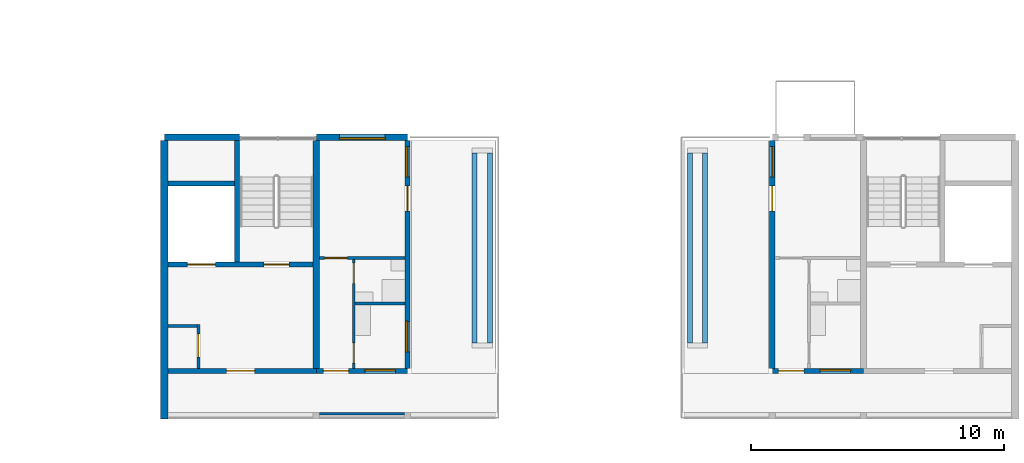
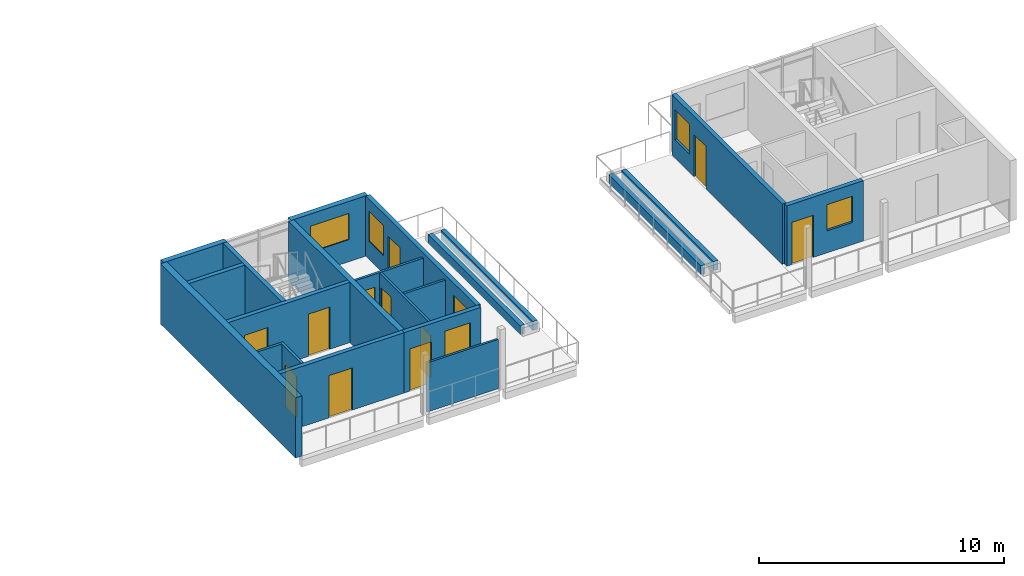
# One storey, part 22 of 41: 22 walls, 11 doors, 6 windows, 17 openings.
"""IFC4 building model written with IfcOpenShell, lengths in metres."""

from ifc_helpers import new_model, si_unit, direction, frame, frame_2d, origin, place, context, subcontext, project, spatial, rectangle, extrude, material, layer, layer_set, type_object, element, fill, save


model = new_model("IFC4")

# Units and contexts
model_context = context("Model", 3, precision=1e-05, world=origin(), true_north=direction((0.0, 1.0)))
body_context = subcontext(model_context, "Body", "Model", "MODEL_VIEW")
ifc_project = project(units=[si_unit("LENGTHUNIT", "METRE"), si_unit("AREAUNIT", "SQUARE_METRE"), si_unit("VOLUMEUNIT", "CUBIC_METRE"), si_unit("PLANEANGLEUNIT", "RADIAN"), si_unit("MASSUNIT", "GRAM", prefix="KILO")], contexts=[model_context])

# Site, building, storey
site_placement = place(None, origin())
site = spatial("IfcSite", under=ifc_project, at=site_placement, CompositionType="ELEMENT")
building_placement = place(site_placement, origin())
building = spatial("IfcBuilding", under=site, at=building_placement, Name="Ridgestep Commons", CompositionType="ELEMENT")
storey_placement = place(building_placement, frame((0.0, 0.0, 39.0)))
storey = spatial("IfcBuildingStorey", under=building, at=storey_placement, Name="L13", CompositionType="ELEMENT", Elevation=39.0)

# Wall
ifc_material_1 = material(Name="Concrete C30/37", Category="concrete")
ifc_layer_1 = layer(ifc_material_1, 0.25)
ifc_layer_set_1 = layer_set([ifc_layer_1], Name="Core cross wall 250")
wall_type_1 = type_object("IfcWallType", Name="Core cross wall 250", PredefinedType="SHEAR", material=ifc_layer_set_1)
wall_1_placement = place(storey_placement, frame((169.60009765625, 13.75, 0.0), z_axis=(0.0, 0.0, 1.0), x_axis=(0.0, 1.0, 0.0)))
element("IfcWall", 1, at=wall_1_placement, inside=storey, type_object=wall_type_1, Name="Cross wall D-13-1696", PredefinedType="SHEAR", context=body_context, shape_type="SweptSolid", body=[
    extrude(rectangle(XDim=9.0, YDim=0.25, at=frame_2d((4.5, 0.0))), origin(), (0.0, 0.0, 1.0), 3.0),
])

# Wall, opening, door
ifc_material_2 = material(Name="Concrete C30/37", Category="concrete")
ifc_layer_2 = layer(ifc_material_2, 0.199951171875)
ifc_layer_set_2 = layer_set([ifc_layer_2], Name="Core south wall 200")
wall_type_2 = type_object("IfcWallType", Name="Core south wall 200", PredefinedType="SHEAR", material=ifc_layer_set_2)
wall_2_placement = place(storey_placement, frame((163.75, 13.64990234375, 0.0), z_axis=(0.0, 0.0, 1.0), x_axis=(1.0, 0.0, 0.0)))
wall_2 = element("IfcWall", 2, at=wall_2_placement, inside=storey, type_object=wall_type_2, Name="Core south wall D2C L13", PredefinedType="SHEAR", context=body_context, shape_type="SweptSolid", body=[
    extrude(rectangle(XDim=5.85009765625, YDim=0.199951171875, at=frame_2d((2.925048828125, 0.0))), origin(), (0.0, 0.0, 1.0), 3.0),
])
opening_1_placement = place(wall_2_placement, frame((2.3125, 0.0, 0.0)))
opening_1 = element("IfcOpeningElement", 3, at=opening_1_placement, cuts=wall_2, Name="Opening D2C/13/1", PredefinedType="OPENING", context=body_context, shape_type="SweptSolid", body=[
    extrude(rectangle(XDim=1.10009765625, YDim=2.10009765625, at=frame_2d((0.550048828125, 1.050048828125))), frame((0.0, 0.10986328125, 0.0), z_axis=(0.0, -1.0, 0.0), x_axis=(1.0, 0.0, 0.0)), (0.0, 0.0, 1.0), 0.219970703125),
])
ifc_material_3 = material(Name="Steel fire door", Category="steel")
door_type_1 = type_object("IfcDoorType", Name="Lobby door 1100 x 2100 FD60", OperationType="NOTDEFINED", PredefinedType="DOOR", material=ifc_material_3)
door_1_placement = place(opening_1_placement, origin())
door_1 = element("IfcDoor", 4, at=door_1_placement, inside=storey, type_object=door_type_1, Name="Lobby door D2C/13/1", OperationType="SINGLE_SWING_LEFT", OverallHeight=2.10009765625, OverallWidth=1.10009765625, PredefinedType="DOOR", context=body_context, shape_type="SweptSolid", body=[
    extrude(rectangle(XDim=1.10009765625, YDim=2.10009765625, at=frame_2d((0.550048828125, 1.050048828125))), frame((0.0, 0.02490234375, 0.0), z_axis=(0.0, -1.0, 0.0), x_axis=(1.0, 0.0, 0.0)), (0.0, 0.0, 1.0), 0.050048828125),
])
fill(opening_1, door_1)

ifc_material_4 = material(Name="Concrete C30/37", Category="concrete")
ifc_layer_3 = layer(ifc_material_4, 0.1201171875)
ifc_layer_set_3 = layer_set([ifc_layer_3], Name="Core wall 120")
wall_type_3 = type_object("IfcWallType", Name="Core wall 120", PredefinedType="SHEAR", material=ifc_layer_set_3)
wall_3_placement = place(storey_placement, frame((164.93994140625, 13.75, 0.0), z_axis=(0.0, 0.0, 1.0), x_axis=(0.0, 1.0, 0.0)))
wall_3 = element("IfcWall", 5, at=wall_3_placement, inside=storey, type_object=wall_type_3, Name="Core riser w wall D2C L13", PredefinedType="SHEAR", context=body_context, shape_type="SweptSolid", body=[
    extrude(rectangle(XDim=1.719970703125, YDim=0.1201171875, at=frame_2d((0.85986328125, 0.0))), origin(), (0.0, 0.0, 1.0), 3.0),
])
opening_2_placement = place(wall_3_placement, frame((0.449951171875, 0.0, 0.0)))
opening_2 = element("IfcOpeningElement", 6, at=opening_2_placement, cuts=wall_3, Name="Opening D2C/13/4", PredefinedType="OPENING", context=body_context, shape_type="SweptSolid", body=[
    extrude(rectangle(XDim=0.89990234375, YDim=2.10009765625, at=frame_2d((0.449951171875, 1.050048828125))), frame((0.0, 0.070068359375, 0.0), z_axis=(0.0, -1.0, 0.0), x_axis=(1.0, 0.0, 0.0)), (0.0, 0.0, 1.0), 0.14013671875),
])
ifc_material_5 = material(Name="Steel fire door", Category="steel")
door_type_2 = type_object("IfcDoorType", Name="Riser door 900 x 2100 FD60", OperationType="NOTDEFINED", PredefinedType="DOOR", material=ifc_material_5)
door_2_placement = place(opening_2_placement, origin())
door_2 = element("IfcDoor", 7, at=door_2_placement, inside=storey, type_object=door_type_2, Name="Riser door D2C/13/4", OperationType="SINGLE_SWING_RIGHT", OverallHeight=2.10009765625, OverallWidth=0.89990234375, PredefinedType="DOOR", context=body_context, shape_type="SweptSolid", body=[
    extrude(rectangle(XDim=0.89990234375, YDim=2.10009765625, at=frame_2d((0.449951171875, 1.050048828125))), frame((0.0, 0.02490234375, 0.0), z_axis=(0.0, -1.0, 0.0), x_axis=(1.0, 0.0, 0.0)), (0.0, 0.0, 1.0), 0.050048828125),
])
fill(opening_2, door_2)

# Wall
wall_4_placement = place(storey_placement, frame((163.75, 15.409912109375, 0.0), z_axis=(0.0, 0.0, 1.0), x_axis=(1.0, 0.0, 0.0)))
element("IfcWall", 8, at=wall_4_placement, inside=storey, type_object=wall_type_3, Name="Core riser n wall D2C L13", PredefinedType="SHEAR", context=body_context, shape_type="SweptSolid", body=[
    extrude(rectangle(XDim=1.1298828125, YDim=0.1201171875, at=frame_2d((0.56494140625, 0.0))), origin(), (0.0, 0.0, 1.0), 3.0),
])

# Wall, openings, doors
ifc_material_6 = material(Name="Concrete C30/37", Category="concrete")
ifc_layer_4 = layer(ifc_material_6, 0.199951171875)
ifc_layer_set_4 = layer_set([ifc_layer_4], Name="Core wall 200")
wall_type_4 = type_object("IfcWallType", Name="Core wall 200", PredefinedType="SHEAR", material=ifc_layer_set_4)
wall_5_placement = place(storey_placement, frame((163.75, 17.85009765625, 0.0), z_axis=(0.0, 0.0, 1.0), x_axis=(1.0, 0.0, 0.0)))
wall_5 = element("IfcWall", 9, at=wall_5_placement, inside=storey, type_object=wall_type_4, Name="Core lobby wall D2C L13", PredefinedType="SHEAR", context=body_context, shape_type="SweptSolid", body=[
    extrude(rectangle(XDim=5.72509765625, YDim=0.199951171875, at=frame_2d((2.862548828125, 0.0))), origin(), (0.0, 0.0, 1.0), 3.0),
])
opening_3_placement = place(wall_5_placement, frame((3.77490234375, 0.0, 0.0)))
opening_3 = element("IfcOpeningElement", 10, at=opening_3_placement, cuts=wall_5, Name="Opening D2C/13/2", PredefinedType="OPENING", context=body_context, shape_type="SweptSolid", body=[
    extrude(rectangle(XDim=1.0, YDim=2.10009765625, at=frame_2d((0.5, 1.050048828125))), frame((0.0, 0.10986328125, 0.0), z_axis=(0.0, -1.0, 0.0), x_axis=(1.0, 0.0, 0.0)), (0.0, 0.0, 1.0), 0.219970703125),
])
opening_4_placement = place(wall_5_placement, frame((0.762451171875, 0.0, 0.0)))
opening_4 = element("IfcOpeningElement", 11, at=opening_4_placement, cuts=wall_5, Name="Opening D2C/13/3", PredefinedType="OPENING", context=body_context, shape_type="SweptSolid", body=[
    extrude(rectangle(XDim=1.10009765625, YDim=2.10009765625, at=frame_2d((0.550048828125, 1.050048828125))), frame((0.0, 0.10986328125, 0.0), z_axis=(0.0, -1.0, 0.0), x_axis=(1.0, 0.0, 0.0)), (0.0, 0.0, 1.0), 0.219970703125),
])
ifc_material_7 = material(Name="Stainless steel", Category="steel")
door_type_3 = type_object("IfcDoorType", Name="Lift landing door 1100 x 2100 FD60", OperationType="DOUBLE_DOOR_SLIDING", PredefinedType="DOOR", material=ifc_material_7)
door_3_placement = place(opening_4_placement, origin())
door_3 = element("IfcDoor", 12, at=door_3_placement, inside=storey, type_object=door_type_3, Name="Landing door LD D2C L13", OperationType="DOUBLE_DOOR_SLIDING", OverallHeight=2.10009765625, OverallWidth=1.10009765625, PredefinedType="DOOR", context=body_context, shape_type="SweptSolid", body=[
    extrude(rectangle(XDim=1.10009765625, YDim=2.10009765625, at=frame_2d((0.550048828125, 1.050048828125))), frame((0.0, 0.02490234375, 0.0), z_axis=(0.0, -1.0, 0.0), x_axis=(1.0, 0.0, 0.0)), (0.0, 0.0, 1.0), 0.050048828125),
])
fill(opening_4, door_3)
ifc_material_8 = material(Name="Steel fire door", Category="steel")
door_type_4 = type_object("IfcDoorType", Name="Stair door 1000 x 2100 FD60", OperationType="NOTDEFINED", PredefinedType="DOOR", material=ifc_material_8)
door_4_placement = place(opening_3_placement, origin())
door_4 = element("IfcDoor", 13, at=door_4_placement, inside=storey, type_object=door_type_4, Name="Stair door D2C/13/2", OperationType="SINGLE_SWING_RIGHT", OverallHeight=2.10009765625, OverallWidth=1.0, PredefinedType="DOOR", context=body_context, shape_type="SweptSolid", body=[
    extrude(rectangle(XDim=1.0, YDim=2.10009765625, at=frame_2d((0.5, 1.050048828125))), frame((0.0, 0.02490234375, 0.0), z_axis=(0.0, -1.0, 0.0), x_axis=(1.0, 0.0, 0.0)), (0.0, 0.0, 1.0), 0.050048828125),
])
fill(opening_3, door_4)

# Walls
wall_6_placement = place(storey_placement, frame((166.47509765625, 17.949951171875, 0.0), z_axis=(0.0, 0.0, 1.0), x_axis=(0.0, 1.0, 0.0)))
element("IfcWall", 14, at=wall_6_placement, inside=storey, type_object=wall_type_4, Name="Core stair wall D2C L13", PredefinedType="SHEAR", context=body_context, shape_type="SweptSolid", body=[
    extrude(rectangle(XDim=4.800048828125, YDim=0.199951171875, at=frame_2d((2.39990234375, 0.0))), origin(), (0.0, 0.0, 1.0), 3.0),
])
wall_7_placement = place(storey_placement, frame((163.75, 21.050048828125, 0.0), z_axis=(0.0, 0.0, 1.0), x_axis=(1.0, 0.0, 0.0)))
element("IfcWall", 15, at=wall_7_placement, inside=storey, type_object=wall_type_4, Name="Core duct wall D2C L13", PredefinedType="SHEAR", context=body_context, shape_type="SweptSolid", body=[
    extrude(rectangle(XDim=2.625, YDim=0.199951171875, at=frame_2d((1.3125, 0.0))), origin(), (0.0, 0.0, 1.0), 3.0),
])

# Wall, openings, windows, door
ifc_material_9 = material(Name="Precast concrete C40/50", Category="concrete")
ifc_layer_5 = layer(ifc_material_9, 0.199951171875)
ifc_layer_set_5 = layer_set([ifc_layer_5], Name="Exposed cross wall 200")
wall_type_5 = type_object("IfcWallType", Name="Exposed cross wall 200", PredefinedType="SHEAR", material=ifc_layer_set_5)
wall_8_placement = place(storey_placement, frame((173.199951171875, 13.75, 0.0), z_axis=(0.0, 0.0, 1.0), x_axis=(0.0, 1.0, 0.0)))
wall_8 = element("IfcWall", 16, at=wall_8_placement, inside=storey, type_object=wall_type_5, Name="Cross wall D-13-1732", PredefinedType="SHEAR", context=body_context, shape_type="SweptSolid", body=[
    extrude(rectangle(XDim=9.0, YDim=0.199951171875, at=frame_2d((4.5, 0.0))), origin(), (0.0, 0.0, 1.0), 3.0),
])
opening_5_placement = place(wall_8_placement, frame((0.64990234375, 0.0, 0.89990234375)))
opening_5 = element("IfcOpeningElement", 17, at=opening_5_placement, cuts=wall_8, Name="Opening W10", PredefinedType="OPENING", context=body_context, shape_type="SweptSolid", body=[
    extrude(rectangle(XDim=1.199951171875, YDim=1.5, at=frame_2d((0.60009765625, 0.75))), frame((0.0, 0.10986328125, 0.0), z_axis=(0.0, -1.0, 0.0), x_axis=(1.0, 0.0, 0.0)), (0.0, 0.0, 1.0), 0.219970703125),
])
opening_6_placement = place(wall_8_placement, frame((7.552490234375, 0.0, 0.89990234375)))
opening_6 = element("IfcOpeningElement", 18, at=opening_6_placement, cuts=wall_8, Name="Opening W10", PredefinedType="OPENING", context=body_context, shape_type="SweptSolid", body=[
    extrude(rectangle(XDim=1.199951171875, YDim=1.5, at=frame_2d((0.60009765625, 0.75))), frame((0.0, 0.10986328125, 0.0), z_axis=(0.0, -1.0, 0.0), x_axis=(1.0, 0.0, 0.0)), (0.0, 0.0, 1.0), 0.219970703125),
])
opening_7_placement = place(wall_8_placement, frame((6.205078125, 0.0, 0.0)))
opening_7 = element("IfcOpeningElement", 19, at=opening_7_placement, cuts=wall_8, Name="Opening D2-13a/5", PredefinedType="OPENING", context=body_context, shape_type="SweptSolid", body=[
    extrude(rectangle(XDim=1.0, YDim=2.10009765625, at=frame_2d((0.5, 1.050048828125))), frame((0.0, 0.10986328125, 0.0), z_axis=(0.0, -1.0, 0.0), x_axis=(1.0, 0.0, 0.0)), (0.0, 0.0, 1.0), 0.219970703125),
])
ifc_material_10 = material(Name="Aluminium 6063-T6 and glass", Category="aluminium")
window_type_1 = type_object("IfcWindowType", Name="Flat window 1200 x 1500", PartitioningType="SINGLE_PANEL", PredefinedType="WINDOW", material=ifc_material_10)
window_1_placement = place(opening_5_placement, origin())
window_1 = element("IfcWindow", 20, at=window_1_placement, inside=storey, type_object=window_type_1, Name="Window D2-13a 3", OverallHeight=1.5, OverallWidth=1.199951171875, PartitioningType="SINGLE_PANEL", PredefinedType="WINDOW", context=body_context, shape_type="SweptSolid", body=[
    extrude(rectangle(XDim=1.199951171875, YDim=1.5, at=frame_2d((0.60009765625, 0.75))), frame((0.0, 0.06005859375, 0.0), z_axis=(0.0, -1.0, 0.0), x_axis=(1.0, 0.0, 0.0)), (0.0, 0.0, 1.0), 0.06005859375),
])
fill(opening_5, window_1)
window_2_placement = place(opening_6_placement, origin())
window_2 = element("IfcWindow", 21, at=window_2_placement, inside=storey, type_object=window_type_1, Name="Window D2-13a 4", OverallHeight=1.5, OverallWidth=1.199951171875, PartitioningType="SINGLE_PANEL", PredefinedType="WINDOW", context=body_context, shape_type="SweptSolid", body=[
    extrude(rectangle(XDim=1.199951171875, YDim=1.5, at=frame_2d((0.60009765625, 0.75))), frame((0.0, 0.06005859375, 0.0), z_axis=(0.0, -1.0, 0.0), x_axis=(1.0, 0.0, 0.0)), (0.0, 0.0, 1.0), 0.06005859375),
])
fill(opening_6, window_2)
ifc_material_11 = material(Name="Aluminium and glass", Category="aluminium")
door_type_5 = type_object("IfcDoorType", Name="Terrace door 1000 x 2100", OperationType="NOTDEFINED", PredefinedType="DOOR", material=ifc_material_11)
door_5_placement = place(opening_7_placement, origin())
door_5 = element("IfcDoor", 22, at=door_5_placement, inside=storey, type_object=door_type_5, Name="Terrace door D2-13a/5", OperationType="SINGLE_SWING_LEFT", OverallHeight=2.10009765625, OverallWidth=1.0, PredefinedType="DOOR", context=body_context, shape_type="SweptSolid", body=[
    extrude(rectangle(XDim=1.0, YDim=2.10009765625, at=frame_2d((0.5, 1.050048828125))), frame((0.0, 0.02490234375, 0.0), z_axis=(0.0, -1.0, 0.0), x_axis=(1.0, 0.0, 0.0)), (0.0, 0.0, 1.0), 0.050048828125),
])
fill(opening_7, door_5)

# Wall, openings, window, door
wall_9_placement = place(storey_placement, frame((187.60009765625, 13.75, 0.0), z_axis=(0.0, 0.0, 1.0), x_axis=(0.0, 1.0, 0.0)))
wall_9 = element("IfcWall", 23, at=wall_9_placement, inside=storey, type_object=wall_type_5, Name="Cross wall D-13-1876", PredefinedType="SHEAR", context=body_context, shape_type="SweptSolid", body=[
    extrude(rectangle(XDim=9.0, YDim=0.199951171875, at=frame_2d((4.5, 0.0))), origin(), (0.0, 0.0, 1.0), 3.0),
])
opening_8_placement = place(wall_9_placement, frame((7.552490234375, 0.0, 0.89990234375)))
opening_8 = element("IfcOpeningElement", 24, at=opening_8_placement, cuts=wall_9, Name="Opening W10", PredefinedType="OPENING", context=body_context, shape_type="SweptSolid", body=[
    extrude(rectangle(XDim=1.199951171875, YDim=1.5, at=frame_2d((0.60009765625, 0.75))), frame((0.0, 0.10986328125, 0.0), z_axis=(0.0, -1.0, 0.0), x_axis=(1.0, 0.0, 0.0)), (0.0, 0.0, 1.0), 0.219970703125),
])
opening_9_placement = place(wall_9_placement, frame((6.205078125, 0.0, 0.0)))
opening_9 = element("IfcOpeningElement", 25, at=opening_9_placement, cuts=wall_9, Name="Opening D3-13a/5", PredefinedType="OPENING", context=body_context, shape_type="SweptSolid", body=[
    extrude(rectangle(XDim=1.0, YDim=2.10009765625, at=frame_2d((0.5, 1.050048828125))), frame((0.0, 0.10986328125, 0.0), z_axis=(0.0, -1.0, 0.0), x_axis=(1.0, 0.0, 0.0)), (0.0, 0.0, 1.0), 0.219970703125),
])
window_3_placement = place(opening_8_placement, origin())
window_3 = element("IfcWindow", 26, at=window_3_placement, inside=storey, type_object=window_type_1, Name="Window D3-13a 3", OverallHeight=1.5, OverallWidth=1.199951171875, PartitioningType="SINGLE_PANEL", PredefinedType="WINDOW", context=body_context, shape_type="SweptSolid", body=[
    extrude(rectangle(XDim=1.199951171875, YDim=1.5, at=frame_2d((0.60009765625, 0.75))), frame((0.0, 0.0, 0.0), z_axis=(0.0, -1.0, 0.0), x_axis=(1.0, 0.0, 0.0)), (0.0, 0.0, 1.0), 0.06005859375),
])
fill(opening_8, window_3)
door_6_placement = place(opening_9_placement, origin())
door_6 = element("IfcDoor", 27, at=door_6_placement, inside=storey, type_object=door_type_5, Name="Terrace door D3-13a/5", OperationType="SINGLE_SWING_RIGHT", OverallHeight=2.10009765625, OverallWidth=1.0, PredefinedType="DOOR", context=body_context, shape_type="SweptSolid", body=[
    extrude(rectangle(XDim=1.0, YDim=2.10009765625, at=frame_2d((0.5, 1.050048828125))), frame((0.0, 0.02490234375, 0.0), z_axis=(0.0, -1.0, 0.0), x_axis=(1.0, 0.0, 0.0)), (0.0, 0.0, 1.0), 0.050048828125),
])
fill(opening_9, door_6)

# Walls
ifc_material_12 = material(Name="Precast concrete C40/50", Category="concrete")
ifc_layer_6 = layer(ifc_material_12, 0.300048828125)
ifc_layer_set_6 = layer_set([ifc_layer_6], Name="Exposed division wall 300")
wall_type_6 = type_object("IfcWallType", Name="Exposed division wall 300", PredefinedType="SHEAR", material=ifc_layer_set_6)
wall_10_placement = place(storey_placement, frame((163.60009765625, 11.75, 0.0), z_axis=(0.0, 0.0, 1.0), x_axis=(0.0, 1.0, 0.0)))
element("IfcWall", 28, at=wall_10_placement, inside=storey, type_object=wall_type_6, Name="Cross wall D-13-1636", PredefinedType="SHEAR", context=body_context, shape_type="SweptSolid", body=[
    extrude(rectangle(XDim=11.0, YDim=0.300048828125, at=frame_2d((5.5, 0.0))), origin(), (0.0, 0.0, 1.0), 3.0),
])
ifc_material_13 = material(Name="Precast concrete C40/50", Category="concrete")
ifc_layer_7 = layer(ifc_material_13, 0.25)
ifc_layer_set_7 = layer_set([ifc_layer_7], Name="North facade panel 250")
wall_type_7 = type_object("IfcWallType", Name="North facade panel 250", PredefinedType="SOLIDWALL", material=ifc_layer_set_7)
wall_11_placement = place(storey_placement, frame((163.60009765625, 22.875, 0.0), z_axis=(0.0, 0.0, 1.0), x_axis=(1.0, 0.0, 0.0)))
element("IfcWall", 29, at=wall_11_placement, inside=storey, type_object=wall_type_7, Name="North panel D2C L13", PredefinedType="SOLIDWALL", context=body_context, shape_type="SweptSolid", body=[
    extrude(rectangle(XDim=2.974853515625, YDim=0.25, at=frame_2d((1.4873046875, 0.0))), origin(), (0.0, 0.0, 1.0), 3.0),
])

# Wall, opening, window
wall_12_placement = place(storey_placement, frame((169.60009765625, 22.875, 0.0), z_axis=(0.0, 0.0, 1.0), x_axis=(1.0, 0.0, 0.0)))
wall_12 = element("IfcWall", 30, at=wall_12_placement, inside=storey, type_object=wall_type_7, Name="North panel D2T3 L13", PredefinedType="SOLIDWALL", context=body_context, shape_type="SweptSolid", body=[
    extrude(rectangle(XDim=3.599853515625, YDim=0.25, at=frame_2d((1.7998046875, 0.0))), origin(), (0.0, 0.0, 1.0), 3.0),
])
opening_10_placement = place(wall_12_placement, frame((0.91259765625, 0.0, 1.10009765625)))
opening_10 = element("IfcOpeningElement", 31, at=opening_10_placement, cuts=wall_12, Name="Opening W18", PredefinedType="OPENING", context=body_context, shape_type="SweptSolid", body=[
    extrude(rectangle(XDim=1.800048828125, YDim=1.300048828125, at=frame_2d((0.89990234375, 0.64990234375))), frame((0.0, 0.135009765625, 0.0), z_axis=(0.0, -1.0, 0.0), x_axis=(1.0, 0.0, 0.0)), (0.0, 0.0, 1.0), 0.27001953125),
])
ifc_material_14 = material(Name="Aluminium 6063-T6 and glass", Category="aluminium")
window_type_2 = type_object("IfcWindowType", Name="Flat window 1800 x 1300", PartitioningType="DOUBLE_PANEL_VERTICAL", PredefinedType="WINDOW", material=ifc_material_14)
window_4_placement = place(opening_10_placement, origin())
window_4 = element("IfcWindow", 32, at=window_4_placement, inside=storey, type_object=window_type_2, Name="Window D2-13a 2", OverallHeight=1.300048828125, OverallWidth=1.800048828125, PartitioningType="SINGLE_PANEL", PredefinedType="WINDOW", context=body_context, shape_type="SweptSolid", body=[
    extrude(rectangle(XDim=1.800048828125, YDim=1.300048828125, at=frame_2d((0.89990234375, 0.64990234375))), frame((0.0, -0.02490234375, 0.0), z_axis=(0.0, -1.0, 0.0), x_axis=(1.0, 0.0, 0.0)), (0.0, 0.0, 1.0), 0.06005859375),
])
fill(opening_10, window_4)

# Wall, openings, doors
ifc_material_15 = material(Name="Common brick 110 mm", Category="masonry")
ifc_layer_8 = layer(ifc_material_15, 0.110107421875)
ifc_layer_set_8 = layer_set([ifc_layer_8], Name="Partition 110")
wall_type_8 = type_object("IfcWallType", Name="Partition 110", PredefinedType="PARTITIONING", material=ifc_layer_set_8)
wall_13_placement = place(storey_placement, frame((171.080078125, 13.75, 0.0), z_axis=(0.0, 0.0, 1.0), x_axis=(0.0, 1.0, 0.0)))
wall_13 = element("IfcWall", 33, at=wall_13_placement, inside=storey, type_object=wall_type_8, Name="Partition D2-13a", PredefinedType="PARTITIONING", context=body_context, shape_type="SweptSolid", body=[
    extrude(rectangle(XDim=4.300048828125, YDim=0.110107421875, at=frame_2d((2.14990234375, 0.0))), origin(), (0.0, 0.0, 1.0), 2.75),
])
opening_11_placement = place(wall_13_placement, frame((0.199951171875, 0.0, 0.0)))
opening_11 = element("IfcOpeningElement", 34, at=opening_11_placement, cuts=wall_13, Name="Opening D2-13a/2", PredefinedType="OPENING", context=body_context, shape_type="SweptSolid", body=[
    extrude(rectangle(XDim=0.800048828125, YDim=2.10009765625, at=frame_2d((0.39990234375, 1.050048828125))), frame((0.0, 0.06494140625, 0.0), z_axis=(0.0, -1.0, 0.0), x_axis=(1.0, 0.0, 0.0)), (0.0, 0.0, 1.0), 0.130126953125),
])
opening_12_placement = place(wall_13_placement, frame((3.35009765625, 0.0, 0.0)))
opening_12 = element("IfcOpeningElement", 35, at=opening_12_placement, cuts=wall_13, Name="Opening D2-13a/3", PredefinedType="OPENING", context=body_context, shape_type="SweptSolid", body=[
    extrude(rectangle(XDim=0.800048828125, YDim=2.10009765625, at=frame_2d((0.39990234375, 1.050048828125))), frame((0.0, 0.06494140625, 0.0), z_axis=(0.0, -1.0, 0.0), x_axis=(1.0, 0.0, 0.0)), (0.0, 0.0, 1.0), 0.130126953125),
])
ifc_material_16 = material(Name="Timber door leaf", Category="wood")
door_type_6 = type_object("IfcDoorType", Name="Internal door 800 x 2100", OperationType="NOTDEFINED", PredefinedType="DOOR", material=ifc_material_16)
door_7_placement = place(opening_11_placement, origin())
door_7 = element("IfcDoor", 36, at=door_7_placement, inside=storey, type_object=door_type_6, Name="Internal door D2-13a/2", OperationType="SINGLE_SWING_RIGHT", OverallHeight=2.10009765625, OverallWidth=0.800048828125, PredefinedType="DOOR", context=body_context, shape_type="SweptSolid", body=[
    extrude(rectangle(XDim=0.800048828125, YDim=2.10009765625, at=frame_2d((0.39990234375, 1.050048828125))), frame((0.0, 0.02490234375, 0.0), z_axis=(0.0, -1.0, 0.0), x_axis=(1.0, 0.0, 0.0)), (0.0, 0.0, 1.0), 0.050048828125),
])
fill(opening_11, door_7)
door_8_placement = place(opening_12_placement, origin())
door_8 = element("IfcDoor", 37, at=door_8_placement, inside=storey, type_object=door_type_6, Name="Internal door D2-13a/3", OperationType="SINGLE_SWING_LEFT", OverallHeight=2.10009765625, OverallWidth=0.800048828125, PredefinedType="DOOR", context=body_context, shape_type="SweptSolid", body=[
    extrude(rectangle(XDim=0.800048828125, YDim=2.10009765625, at=frame_2d((0.39990234375, 1.050048828125))), frame((0.0, 0.02490234375, 0.0), z_axis=(0.0, -1.0, 0.0), x_axis=(1.0, 0.0, 0.0)), (0.0, 0.0, 1.0), 0.050048828125),
])
fill(opening_12, door_8)

# Wall
wall_14_placement = place(storey_placement, frame((171.135009765625, 16.304931640625, 0.0), z_axis=(0.0, 0.0, 1.0), x_axis=(1.0, 0.0, 0.0)))
element("IfcWall", 38, at=wall_14_placement, inside=storey, type_object=wall_type_8, Name="Partition D2-13a", PredefinedType="PARTITIONING", context=body_context, shape_type="SweptSolid", body=[
    extrude(rectangle(XDim=1.965087890625, YDim=0.110107421875, at=frame_2d((0.982421875, 0.0))), origin(), (0.0, 0.0, 1.0), 2.75),
])

# Wall, opening, door
wall_15_placement = place(storey_placement, frame((169.72509765625, 18.10498046875, 0.0), z_axis=(0.0, 0.0, 1.0), x_axis=(1.0, 0.0, 0.0)))
wall_15 = element("IfcWall", 39, at=wall_15_placement, inside=storey, type_object=wall_type_8, Name="Partition D2-13a", PredefinedType="PARTITIONING", context=body_context, shape_type="SweptSolid", body=[
    extrude(rectangle(XDim=3.375, YDim=0.110107421875, at=frame_2d((1.6875, 0.0))), origin(), (0.0, 0.0, 1.0), 2.75),
])
opening_13_placement = place(wall_15_placement, frame((0.199951171875, 0.0, 0.0)))
opening_13 = element("IfcOpeningElement", 40, at=opening_13_placement, cuts=wall_15, Name="Opening D2-13a/4", PredefinedType="OPENING", context=body_context, shape_type="SweptSolid", body=[
    extrude(rectangle(XDim=0.89990234375, YDim=2.10009765625, at=frame_2d((0.449951171875, 1.050048828125))), frame((0.0, 0.06494140625, 0.0), z_axis=(0.0, -1.0, 0.0), x_axis=(1.0, 0.0, 0.0)), (0.0, 0.0, 1.0), 0.130126953125),
])
ifc_material_17 = material(Name="Timber door leaf", Category="wood")
door_type_7 = type_object("IfcDoorType", Name="Internal door 900 x 2100", OperationType="NOTDEFINED", PredefinedType="DOOR", material=ifc_material_17)
door_9_placement = place(opening_13_placement, origin())
door_9 = element("IfcDoor", 41, at=door_9_placement, inside=storey, type_object=door_type_7, Name="Internal door D2-13a/4", OperationType="SINGLE_SWING_LEFT", OverallHeight=2.10009765625, OverallWidth=0.89990234375, PredefinedType="DOOR", context=body_context, shape_type="SweptSolid", body=[
    extrude(rectangle(XDim=0.89990234375, YDim=2.10009765625, at=frame_2d((0.449951171875, 1.050048828125))), frame((0.0, 0.02490234375, 0.0), z_axis=(0.0, -1.0, 0.0), x_axis=(1.0, 0.0, 0.0)), (0.0, 0.0, 1.0), 0.050048828125),
])
fill(opening_13, door_9)

# Walls
ifc_material_18 = material(Name="Precast concrete C30/37", Category="concrete")
ifc_layer_9 = layer(ifc_material_18, 0.10009765625)
ifc_layer_set_9 = layer_set([ifc_layer_9], Name="Perforated gallery screen 3350 x 2450 x 100")
wall_type_9 = type_object("IfcWallType", Name="Perforated gallery screen 3350 x 2450 x 100", PredefinedType="SOLIDWALL", material=ifc_layer_set_9)
wall_16_placement = place(storey_placement, frame((169.72509765625, 11.949951171875, 0.0), z_axis=(0.0, 0.0, 1.0), x_axis=(1.0, 0.0, 0.0)))
element("IfcWall", 42, at=wall_16_placement, inside=storey, type_object=wall_type_9, Name="Gallery screen D2T3 13", PredefinedType="SOLIDWALL", context=body_context, shape_type="SweptSolid", body=[
    extrude(rectangle(XDim=3.349853515625, YDim=0.10009765625, at=frame_2d((1.6748046875, 0.0))), origin(), (0.0, 0.0, 1.0), 2.449951171875),
])
ifc_material_19 = material(Name="Facing brick", Category="masonry")
ifc_layer_10 = layer(ifc_material_19, 0.199951171875)
ifc_layer_set_10 = layer_set([ifc_layer_10], Name="Planter wall 200")
wall_type_10 = type_object("IfcWallType", Name="Planter wall 200", PredefinedType="SOLIDWALL", material=ifc_layer_set_10)
for number, where, z_axis, x_axis, name in (
    (43, (175.85009765625, 14.75, 0.010009765625), (0.0, 0.0, 1.0), (0.0, 1.0, 0.0), "Planter wall D2R2W"),
    (44, (176.449951171875, 14.75, 0.010009765625), (0.0, 0.0, 1.0), (0.0, 1.0, 0.0), "Planter wall D2R2E"),
    (45, (184.35009765625, 14.75, 0.010009765625), (0.0, 0.0, 1.0), (0.0, 1.0, 0.0), "Planter wall D3R2W"),
    (46, (184.949951171875, 14.75, 0.010009765625), (0.0, 0.0, 1.0), (0.0, 1.0, 0.0), "Planter wall D3R2E"),
):
    element("IfcWall", number, at=place(storey_placement, frame(where, z_axis=z_axis, x_axis=x_axis)), inside=storey, type_object=wall_type_10, Name=name, PredefinedType="SOLIDWALL", context=body_context, shape_type="SweptSolid", body=[
        extrude(rectangle(XDim=7.5, YDim=0.199951171875, at=frame_2d((3.75, 0.0))), origin(), (0.0, 0.0, 1.0), 0.449951171875),
    ])

# Wall, openings, door, window
ifc_material_20 = material(Name="Precast concrete C40/50", Category="concrete")
ifc_layer_11 = layer(ifc_material_20, 0.199951171875)
ifc_layer_set_11 = layer_set([ifc_layer_11], Name="South facade panel 200")
wall_type_11 = type_object("IfcWallType", Name="South facade panel 200", PredefinedType="SOLIDWALL", material=ifc_layer_set_11)
wall_17_placement = place(storey_placement, frame((169.60009765625, 13.64990234375, 0.0), z_axis=(0.0, 0.0, 1.0), x_axis=(1.0, 0.0, 0.0)))
wall_17 = element("IfcWall", 47, at=wall_17_placement, inside=storey, type_object=wall_type_11, Name="South panel D2T3 L13", PredefinedType="SOLIDWALL", context=body_context, shape_type="SweptSolid", body=[
    extrude(rectangle(XDim=3.599853515625, YDim=0.199951171875, at=frame_2d((1.7998046875, 0.0))), origin(), (0.0, 0.0, 1.0), 3.0),
])
opening_14_placement = place(wall_17_placement, frame((1.91748046875, 0.0, 1.10009765625)))
opening_14 = element("IfcOpeningElement", 48, at=opening_14_placement, cuts=wall_17, Name="Opening W08", PredefinedType="OPENING", context=body_context, shape_type="SweptSolid", body=[
    extrude(rectangle(XDim=1.199951171875, YDim=1.300048828125, at=frame_2d((0.60009765625, 0.64990234375))), frame((0.0, 0.10986328125, 0.0), z_axis=(0.0, -1.0, 0.0), x_axis=(1.0, 0.0, 0.0)), (0.0, 0.0, 1.0), 0.219970703125),
])
opening_15_placement = place(wall_17_placement, frame((0.27490234375, 0.0, 0.0)))
opening_15 = element("IfcOpeningElement", 49, at=opening_15_placement, cuts=wall_17, Name="Opening D2-13a/1", PredefinedType="OPENING", context=body_context, shape_type="SweptSolid", body=[
    extrude(rectangle(XDim=1.0, YDim=2.10009765625, at=frame_2d((0.5, 1.050048828125))), frame((0.0, 0.10986328125, 0.0), z_axis=(0.0, -1.0, 0.0), x_axis=(1.0, 0.0, 0.0)), (0.0, 0.0, 1.0), 0.219970703125),
])
ifc_material_21 = material(Name="Timber door leaf", Category="wood")
door_type_8 = type_object("IfcDoorType", Name="Flat entrance door 1000 x 2100 FD30S", OperationType="NOTDEFINED", PredefinedType="DOOR", material=ifc_material_21)
door_10_placement = place(opening_15_placement, origin())
door_10 = element("IfcDoor", 50, at=door_10_placement, inside=storey, type_object=door_type_8, Name="Flat entrance door D2-13a/1", OperationType="SINGLE_SWING_LEFT", OverallHeight=2.10009765625, OverallWidth=1.0, PredefinedType="DOOR", context=body_context, shape_type="SweptSolid", body=[
    extrude(rectangle(XDim=1.0, YDim=2.10009765625, at=frame_2d((0.5, 1.050048828125))), frame((0.0, 0.02490234375, 0.0), z_axis=(0.0, -1.0, 0.0), x_axis=(1.0, 0.0, 0.0)), (0.0, 0.0, 1.0), 0.050048828125),
])
fill(opening_15, door_10)
ifc_material_22 = material(Name="Aluminium 6063-T6 and glass", Category="aluminium")
window_type_3 = type_object("IfcWindowType", Name="Flat window 1200 x 1300", PartitioningType="SINGLE_PANEL", PredefinedType="WINDOW", material=ifc_material_22)
window_5_placement = place(opening_14_placement, origin())
window_5 = element("IfcWindow", 51, at=window_5_placement, inside=storey, type_object=window_type_3, Name="Window D2-13a 1", OverallHeight=1.300048828125, OverallWidth=1.199951171875, PartitioningType="SINGLE_PANEL", PredefinedType="WINDOW", context=body_context, shape_type="SweptSolid", body=[
    extrude(rectangle(XDim=1.199951171875, YDim=1.300048828125, at=frame_2d((0.60009765625, 0.64990234375))), frame((0.0, 0.06005859375, 0.0), z_axis=(0.0, -1.0, 0.0), x_axis=(1.0, 0.0, 0.0)), (0.0, 0.0, 1.0), 0.06005859375),
])
fill(opening_14, window_5)

wall_18_placement = place(storey_placement, frame((187.60009765625, 13.64990234375, 0.0), z_axis=(0.0, 0.0, 1.0), x_axis=(1.0, 0.0, 0.0)))
wall_18 = element("IfcWall", 52, at=wall_18_placement, inside=storey, type_object=wall_type_11, Name="South panel D3T3 L13", PredefinedType="SOLIDWALL", context=body_context, shape_type="SweptSolid", body=[
    extrude(rectangle(XDim=3.599853515625, YDim=0.199951171875, at=frame_2d((1.7998046875, 0.0))), origin(), (0.0, 0.0, 1.0), 3.0),
])
opening_16_placement = place(wall_18_placement, frame((1.892578125, 0.0, 1.10009765625)))
opening_16 = element("IfcOpeningElement", 53, at=opening_16_placement, cuts=wall_18, Name="Opening W08", PredefinedType="OPENING", context=body_context, shape_type="SweptSolid", body=[
    extrude(rectangle(XDim=1.199951171875, YDim=1.300048828125, at=frame_2d((0.60009765625, 0.64990234375))), frame((0.0, 0.10986328125, 0.0), z_axis=(0.0, -1.0, 0.0), x_axis=(1.0, 0.0, 0.0)), (0.0, 0.0, 1.0), 0.219970703125),
])
opening_17_placement = place(wall_18_placement, frame((0.25, 0.0, 0.0)))
opening_17 = element("IfcOpeningElement", 54, at=opening_17_placement, cuts=wall_18, Name="Opening D3-13a/1", PredefinedType="OPENING", context=body_context, shape_type="SweptSolid", body=[
    extrude(rectangle(XDim=1.0, YDim=2.10009765625, at=frame_2d((0.5, 1.050048828125))), frame((0.0, 0.10986328125, 0.0), z_axis=(0.0, -1.0, 0.0), x_axis=(1.0, 0.0, 0.0)), (0.0, 0.0, 1.0), 0.219970703125),
])
door_11_placement = place(opening_17_placement, origin())
door_11 = element("IfcDoor", 55, at=door_11_placement, inside=storey, type_object=door_type_8, Name="Flat entrance door D3-13a/1", OperationType="SINGLE_SWING_LEFT", OverallHeight=2.10009765625, OverallWidth=1.0, PredefinedType="DOOR", context=body_context, shape_type="SweptSolid", body=[
    extrude(rectangle(XDim=1.0, YDim=2.10009765625, at=frame_2d((0.5, 1.050048828125))), frame((0.0, 0.02490234375, 0.0), z_axis=(0.0, -1.0, 0.0), x_axis=(1.0, 0.0, 0.0)), (0.0, 0.0, 1.0), 0.050048828125),
])
fill(opening_17, door_11)
window_6_placement = place(opening_16_placement, origin())
window_6 = element("IfcWindow", 56, at=window_6_placement, inside=storey, type_object=window_type_3, Name="Window D3-13a 1", OverallHeight=1.300048828125, OverallWidth=1.199951171875, PartitioningType="SINGLE_PANEL", PredefinedType="WINDOW", context=body_context, shape_type="SweptSolid", body=[
    extrude(rectangle(XDim=1.199951171875, YDim=1.300048828125, at=frame_2d((0.60009765625, 0.64990234375))), frame((0.0, 0.06005859375, 0.0), z_axis=(0.0, -1.0, 0.0), x_axis=(1.0, 0.0, 0.0)), (0.0, 0.0, 1.0), 0.06005859375),
])
fill(opening_16, window_6)

save(model, "model.ifc")
